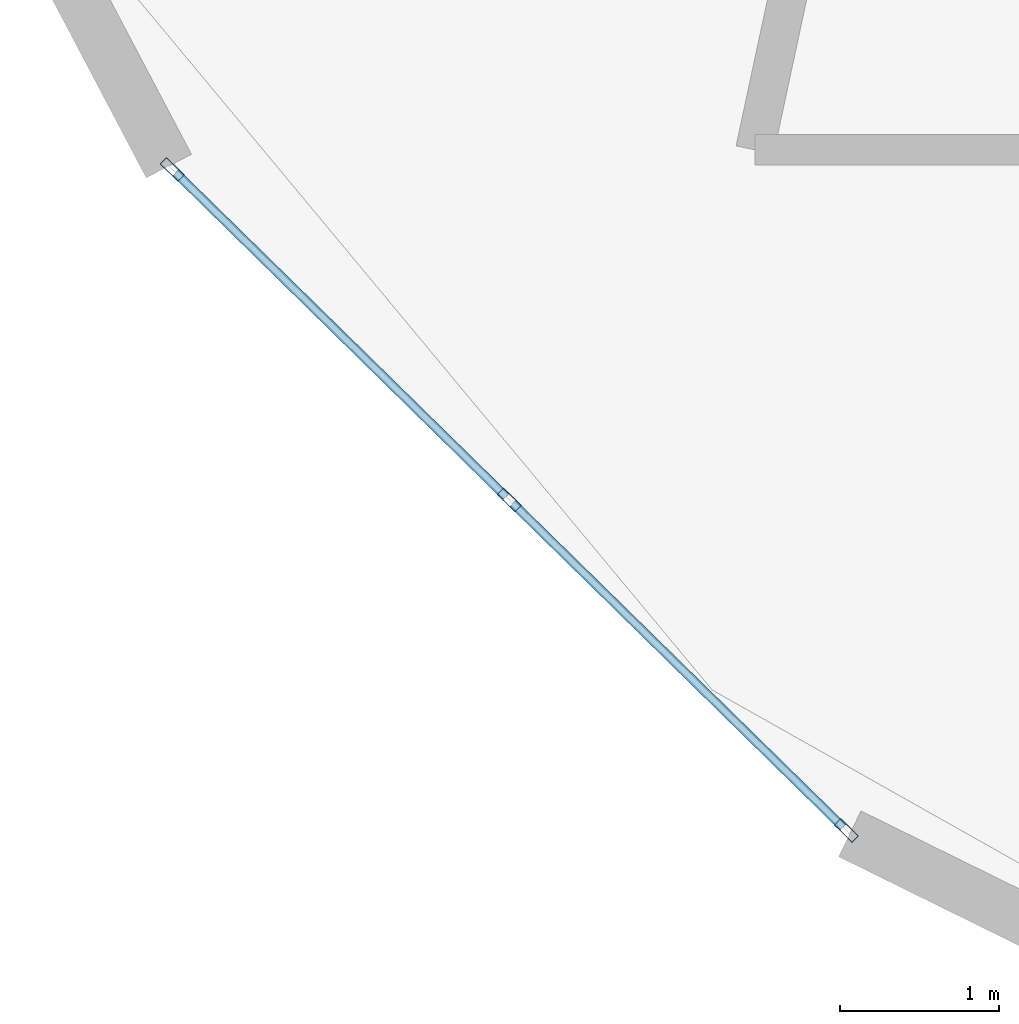
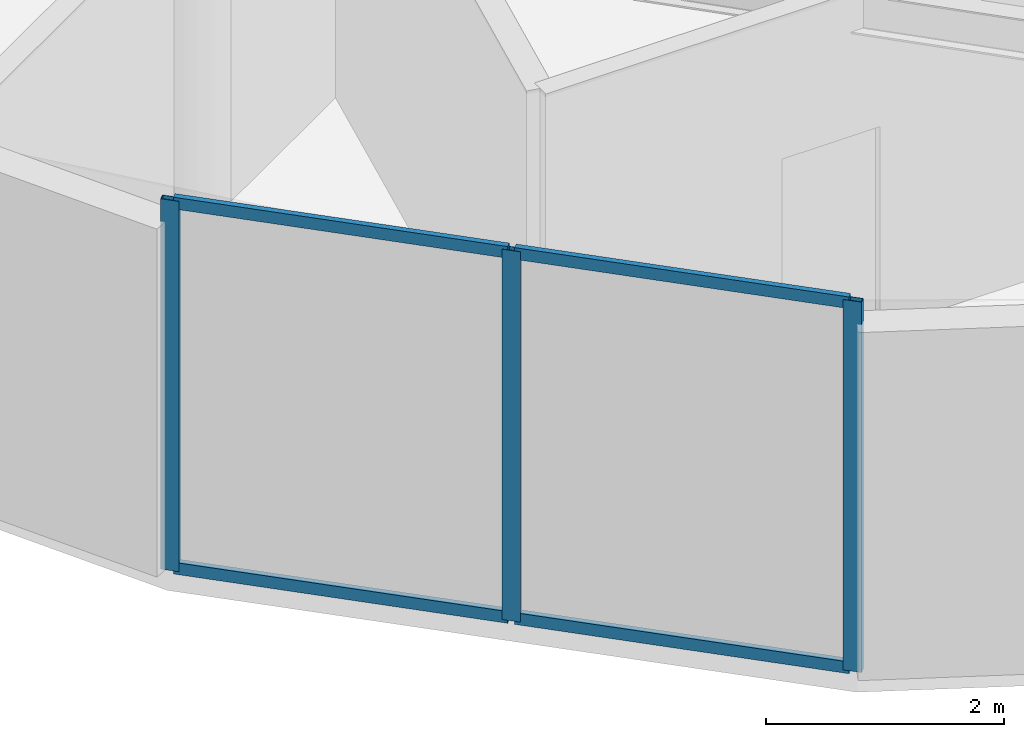
# One storey, part 2 of 18: 7 members, 1 element without a shape of its own.
"""IFC4 building model written with IfcOpenShell, lengths in metres."""

from ifc_helpers import new_model, si_unit, direction, frame, origin, origin_2d, place, context, subcontext, project, spatial, hollow_rectangle, extrude, source, transform, mapped, material, layer, layer_set, material_profile, profile_set, type_object, element, aggregate, save


model = new_model("IFC4")

# Units and contexts
model_context = context("Model", 3, precision=1e-05, world=origin(), true_north=direction((0.0, 1.0)))
body_context = subcontext(model_context, "Body", "Model", "MODEL_VIEW")
ifc_project = project(units=[si_unit("LENGTHUNIT", "METRE"), si_unit("AREAUNIT", "SQUARE_METRE"), si_unit("VOLUMEUNIT", "CUBIC_METRE"), si_unit("PLANEANGLEUNIT", "RADIAN"), si_unit("MASSUNIT", "GRAM", prefix="KILO")], contexts=[model_context])

# Site, building, storey
site_placement = place(None, origin())
site = spatial("IfcSite", under=ifc_project, at=site_placement, CompositionType="ELEMENT")
building_placement = place(site_placement, origin())
building = spatial("IfcBuilding", under=site, at=building_placement, Name="Solvirekh Grand Hotel", CompositionType="ELEMENT")
storey_placement = place(building_placement, frame((0.0, 0.0, 274.39990234375)))
storey = spatial("IfcBuildingStorey", under=building, at=storey_placement, Name="L71", CompositionType="ELEMENT", Elevation=274.39990234375)

# Curtain wall, members
ifc_material = material(Name="Anodized Bronze Aluminium 6063-T6", Category="aluminium")
ifc_layer = layer(ifc_material, 0.159912109375)
ifc_layer_set = layer_set([ifc_layer], Name="Anodized Bronze Aluminium 6063-T6")
curtain_wall_type = type_object("IfcCurtainWallType", Name="CW_Sys4_HighZoneFlushBronzeCW", PredefinedType="NOTDEFINED", material=ifc_layer_set)
curtain_wall_placement = place(storey_placement, origin())
curtain_wall = element("IfcCurtainWall", 1, at=curtain_wall_placement, inside=storey, type_object=curtain_wall_type, Name="L71 unitised bronze-glass curtain wall CW-L71-C18", PredefinedType="NOTDEFINED")
ifc_material_profile_1 = material_profile(ifc_material, hollow_rectangle(XDim=0.06005859375, YDim=0.159912109375, WallThickness=0.0048828125, at=origin_2d()), Name="ALU RHS 160X60X5")
ifc_profile_set_1 = profile_set([ifc_material_profile_1], Name="Anodized Bronze Aluminium 6063-T6")
member_type_1 = type_object("IfcMemberType", Name="CWMullion_Sys4", PredefinedType="MULLION", material=ifc_profile_set_1)
shared_shape_1 = source(origin(), body_context, "Body", "SweptSolid", [
    extrude(hollow_rectangle(XDim=0.06005859375, YDim=0.159912109375, WallThickness=0.0048828125, at=origin_2d()), origin(), (0.0, 0.0, 1.0), 3.800048828125),
])
member_1_placement = place(storey_placement, frame((-15.95556640625, -11.923095703125, 0.0), z_axis=(0.0, 0.0, 1.0), x_axis=(0.700138233736, 0.714007320454, 0.0)))
member_1 = element("IfcMember", 2, at=member_1_placement, type_object=member_type_1, Name="U04 mullion 1", PredefinedType="MULLION", context=body_context, shape_type="MappedRepresentation", body=[
    mapped(shared_shape_1, transform((0.0, 0.0, 0.0), x_axis=(1.0, 0.0, 0.0), y_axis=(0.0, 1.0, 0.0), z_axis=(0.0, 0.0, 1.0), scale=1.0)),
])
member_2_placement = place(storey_placement, frame((-13.840576171875, -13.9970703125, 0.0), z_axis=(0.0, 0.0, 1.0), x_axis=(0.700138233736, 0.714007320454, 0.0)))
member_2 = element("IfcMember", 3, at=member_2_placement, type_object=member_type_1, Name="U04 mullion 2", PredefinedType="MULLION", context=body_context, shape_type="MappedRepresentation", body=[
    mapped(shared_shape_1, transform((0.0, 0.0, 0.0), x_axis=(1.0, 0.0, 0.0), y_axis=(0.0, 1.0, 0.0), z_axis=(0.0, 0.0, 1.0), scale=1.0)),
])
member_3_placement = place(storey_placement, frame((-11.725341796875, -16.071044921875, 0.0), z_axis=(0.0, 0.0, 1.0), x_axis=(0.700138233736, 0.714007320454, 0.0)))
member_3 = element("IfcMember", 4, at=member_3_placement, type_object=member_type_1, Name="U04 mullion 3", PredefinedType="MULLION", context=body_context, shape_type="MappedRepresentation", body=[
    mapped(shared_shape_1, transform((0.0, 0.0, 0.0), x_axis=(1.0, 0.0, 0.0), y_axis=(0.0, 1.0, 0.0), z_axis=(0.0, 0.0, 1.0), scale=1.0)),
])
ifc_material_profile_2 = material_profile(ifc_material, hollow_rectangle(XDim=0.054931640625, YDim=0.1201171875, WallThickness=0.00390625, at=origin_2d()), Name="ALU RHS 120X55X4")
ifc_profile_set_2 = profile_set([ifc_material_profile_2], Name="Anodized Bronze Aluminium 6063-T6")
member_type_2 = type_object("IfcMemberType", Name="CWTransom_Sys4", PredefinedType="USERDEFINED", material=ifc_profile_set_2)
shared_shape_2 = source(origin(), body_context, "Body", "SweptSolid", [
    extrude(hollow_rectangle(XDim=0.054931640625, YDim=0.1201171875, WallThickness=0.00390625, at=origin_2d()), origin(), (0.0, 0.0, 1.0), 2.90234375),
])
member_4_placement = place(storey_placement, frame((-15.93408203125, -11.944091796875, 0.027587890625), z_axis=(0.714012644602, -0.700132804079, 0.0), x_axis=(0.700132804079, 0.714012644602, 0.0)))
member_4 = element("IfcMember", 5, at=member_4_placement, type_object=member_type_2, Name="U04 transom 1.1", ObjectType="TRANSOM", PredefinedType="USERDEFINED", context=body_context, shape_type="MappedRepresentation", body=[
    mapped(shared_shape_2, transform((0.0, 0.0, 0.0), x_axis=(1.0, 0.0, 0.0), y_axis=(0.0, 1.0, 0.0), z_axis=(0.0, 0.0, 1.0), scale=1.0)),
])
member_5_placement = place(storey_placement, frame((-15.93408203125, -11.944091796875, 3.772705078125), z_axis=(0.714012644602, -0.700132804079, 0.0), x_axis=(0.700132804079, 0.714012644602, 0.0)))
member_5 = element("IfcMember", 6, at=member_5_placement, type_object=member_type_2, Name="U04 transom 1.2", ObjectType="TRANSOM", PredefinedType="USERDEFINED", context=body_context, shape_type="MappedRepresentation", body=[
    mapped(shared_shape_2, transform((0.0, 0.0, 0.0), x_axis=(1.0, 0.0, 0.0), y_axis=(0.0, 1.0, 0.0), z_axis=(0.0, 0.0, 1.0), scale=1.0)),
])
member_6_placement = place(storey_placement, frame((-13.819091796875, -14.01806640625, 0.027587890625), z_axis=(0.714012644602, -0.700132804079, 0.0), x_axis=(0.700132804079, 0.714012644602, 0.0)))
member_6 = element("IfcMember", 7, at=member_6_placement, type_object=member_type_2, Name="U04 transom 2.1", ObjectType="TRANSOM", PredefinedType="USERDEFINED", context=body_context, shape_type="MappedRepresentation", body=[
    mapped(shared_shape_2, transform((0.0, 0.0, 0.0), x_axis=(1.0, 0.0, 0.0), y_axis=(0.0, 1.0, 0.0), z_axis=(0.0, 0.0, 1.0), scale=1.0)),
])
member_7_placement = place(storey_placement, frame((-13.819091796875, -14.01806640625, 3.772705078125), z_axis=(0.714012644602, -0.700132804079, 0.0), x_axis=(0.700132804079, 0.714012644602, 0.0)))
member_7 = element("IfcMember", 8, at=member_7_placement, type_object=member_type_2, Name="U04 transom 2.2", ObjectType="TRANSOM", PredefinedType="USERDEFINED", context=body_context, shape_type="MappedRepresentation", body=[
    mapped(shared_shape_2, transform((0.0, 0.0, 0.0), x_axis=(1.0, 0.0, 0.0), y_axis=(0.0, 1.0, 0.0), z_axis=(0.0, 0.0, 1.0), scale=1.0)),
])
aggregate(curtain_wall, [member_1, member_2, member_3, member_4, member_5, member_6, member_7])

save(model, "model.ifc")
